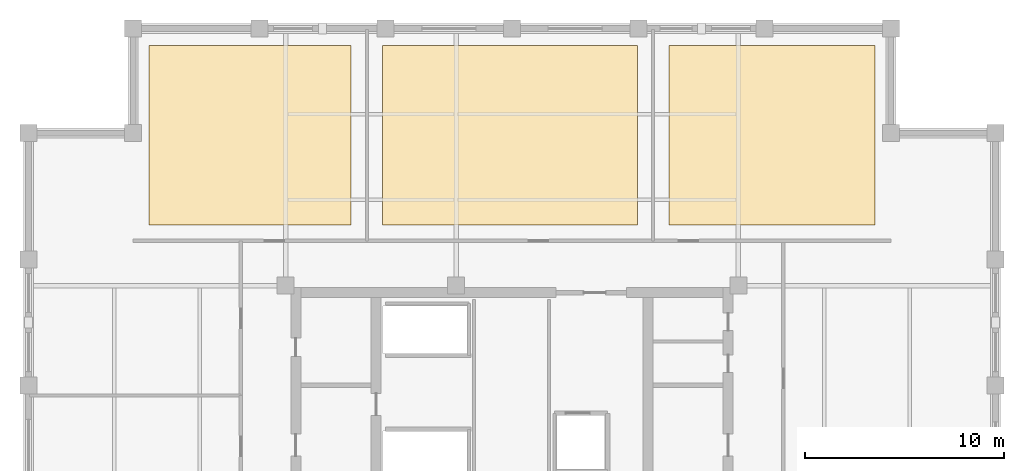
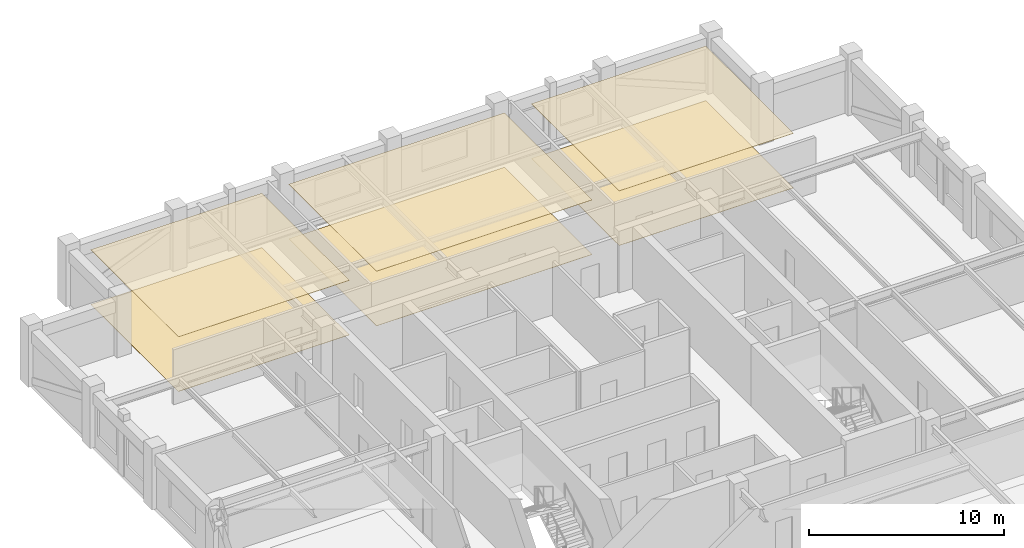
# One storey, part 9 of 9: 6 coverings.
"""IFC4 building model written with IfcOpenShell, lengths in metres."""

from ifc_helpers import new_model, si_unit, direction, frame, origin, place, context, subcontext, project, spatial, polyline, outline, extrude, material, layer, layer_set, type_object, element, save


model = new_model("IFC4")

# Units and contexts
model_context = context("Model", 3, precision=1e-05, world=origin(), true_north=direction((0.0, 1.0)))
body_context = subcontext(model_context, "Body", "Model", "MODEL_VIEW")
ifc_project = project(units=[si_unit("LENGTHUNIT", "METRE"), si_unit("AREAUNIT", "SQUARE_METRE"), si_unit("VOLUMEUNIT", "CUBIC_METRE"), si_unit("PLANEANGLEUNIT", "RADIAN"), si_unit("MASSUNIT", "GRAM", prefix="KILO")], contexts=[model_context])

# Site, building, storey
site_placement = place(None, origin())
site = spatial("IfcSite", under=ifc_project, at=site_placement, CompositionType="ELEMENT")
building_placement = place(site_placement, origin())
building = spatial("IfcBuilding", under=site, at=building_placement, Name="Nhamokura Convention Tower", CompositionType="ELEMENT")
storey_placement = place(building_placement, frame((0.0, 0.0, 186.89990234375)))
storey = spatial("IfcBuildingStorey", under=building, at=storey_placement, Name="L45", CompositionType="ELEMENT", Elevation=186.89990234375)

# Coverings
ifc_material_1 = material(Name="Mineral-fibre acoustic ceiling tile", Category="gypsum")
ifc_layer_1 = layer(ifc_material_1, 0.02490234375)
ifc_layer_set_1 = layer_set([ifc_layer_1], Name="AcousticTileCeiling_25")
covering_type_1 = type_object("IfcCoveringType", Name="AcousticTileCeiling_25", PredefinedType="CEILING", material=ifc_layer_set_1)
covering_1_placement = place(storey_placement, frame((0.0, 0.0, 3.405029296875)))
element("IfcCovering", 1, at=covering_1_placement, inside=storey, type_object=covering_type_1, Name="L45 Suspended Ceiling 02", PredefinedType="CEILING", context=body_context, shape_type="SweptSolid", body=[
    extrude(outline(polyline([(13.800048828125, 46.39990234375), (23.916748046875, 46.39990234375), (23.916748046875, 55.389892578125), (13.800048828125, 55.389892578125), (13.800048828125, 46.39990234375)])), origin(), (0.0, 0.0, 1.0), 0.025146484375),
])
covering_2_placement = place(storey_placement, frame((0.0, 0.0, 3.405029296875)))
element("IfcCovering", 2, at=covering_2_placement, inside=storey, type_object=covering_type_1, Name="L45 Suspended Ceiling 03", PredefinedType="CEILING", context=body_context, shape_type="SweptSolid", body=[
    extrude(outline(polyline([(25.5166015625, 46.39990234375), (38.283203125, 46.39990234375), (38.283203125, 55.389892578125), (25.5166015625, 55.389892578125), (25.5166015625, 46.39990234375)])), origin(), (0.0, 0.0, 1.0), 0.025146484375),
])
covering_3_placement = place(storey_placement, frame((0.0, 0.0, 3.405029296875)))
element("IfcCovering", 3, at=covering_3_placement, inside=storey, type_object=covering_type_1, Name="L45 Suspended Ceiling 04", PredefinedType="CEILING", context=body_context, shape_type="SweptSolid", body=[
    extrude(outline(polyline([(39.88330078125, 46.39990234375), (50.199951171875, 46.39990234375), (50.199951171875, 55.389892578125), (39.88330078125, 55.389892578125), (39.88330078125, 46.39990234375)])), origin(), (0.0, 0.0, 1.0), 0.025146484375),
])
ifc_material_2 = material(Name="Acoustic woven hospitality carpet", Category="wood")
ifc_layer_2 = layer(ifc_material_2, 0.014892578125)
ifc_layer_set_2 = layer_set([ifc_layer_2], Name="WovenCarpetFlooring_15")
covering_type_2 = type_object("IfcCoveringType", Name="WovenCarpetFlooring_15", PredefinedType="FLOORING", material=ifc_layer_set_2)
covering_4_placement = place(storey_placement, origin())
element("IfcCovering", 4, at=covering_4_placement, inside=storey, type_object=covering_type_2, Name="L45 Finish Flooring 02", PredefinedType="FLOORING", context=body_context, shape_type="SweptSolid", body=[
    extrude(outline(polyline([(13.800048828125, 46.39990234375), (23.916748046875, 46.39990234375), (23.916748046875, 55.389892578125), (13.800048828125, 55.389892578125), (13.800048828125, 46.39990234375)])), origin(), (0.0, 0.0, 1.0), 0.01513671875),
])
covering_5_placement = place(storey_placement, origin())
element("IfcCovering", 5, at=covering_5_placement, inside=storey, type_object=covering_type_2, Name="L45 Finish Flooring 03", PredefinedType="FLOORING", context=body_context, shape_type="SweptSolid", body=[
    extrude(outline(polyline([(25.5166015625, 46.39990234375), (38.283203125, 46.39990234375), (38.283203125, 55.389892578125), (25.5166015625, 55.389892578125), (25.5166015625, 46.39990234375)])), origin(), (0.0, 0.0, 1.0), 0.01513671875),
])
covering_6_placement = place(storey_placement, origin())
element("IfcCovering", 6, at=covering_6_placement, inside=storey, type_object=covering_type_2, Name="L45 Finish Flooring 04", PredefinedType="FLOORING", context=body_context, shape_type="SweptSolid", body=[
    extrude(outline(polyline([(39.88330078125, 46.39990234375), (50.199951171875, 46.39990234375), (50.199951171875, 55.389892578125), (39.88330078125, 55.389892578125), (39.88330078125, 46.39990234375)])), origin(), (0.0, 0.0, 1.0), 0.01513671875),
])

save(model, "model.ifc")
